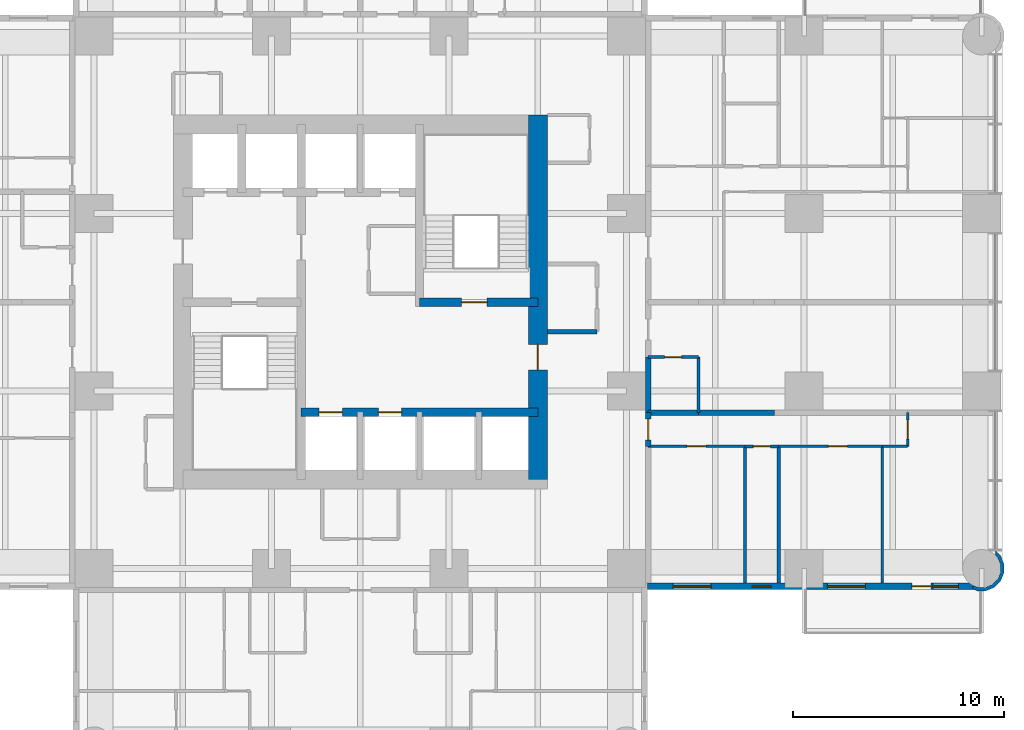
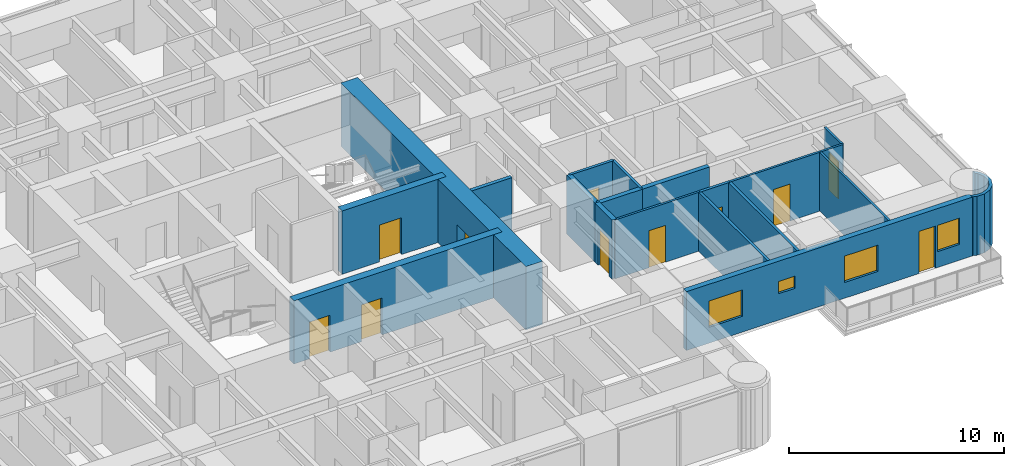
# One storey, part 9 of 14: 20 walls, 11 doors, 4 windows, 15 openings.
"""IFC4 building model written with IfcOpenShell, lengths in metres."""

from ifc_helpers import new_model, si_unit, direction, frame, frame_2d, origin, place, context, subcontext, project, spatial, polyline, rectangle, outline, extrude, material, layer, layer_set, type_object, element, fill, save


model = new_model("IFC4")

# Units and contexts
model_context = context("Model", 3, precision=1e-05, world=origin(), true_north=direction((0.0, 1.0)))
body_context = subcontext(model_context, "Body", "Model", "MODEL_VIEW")
ifc_project = project(units=[si_unit("LENGTHUNIT", "METRE"), si_unit("AREAUNIT", "SQUARE_METRE"), si_unit("VOLUMEUNIT", "CUBIC_METRE"), si_unit("PLANEANGLEUNIT", "RADIAN"), si_unit("MASSUNIT", "GRAM", prefix="KILO")], contexts=[model_context])

# Site, building, storey
site_placement = place(None, origin())
site = spatial("IfcSite", under=ifc_project, at=site_placement, CompositionType="ELEMENT")
building_placement = place(site_placement, origin())
building = spatial("IfcBuilding", under=site, at=building_placement, Name="Torre Alcanfor", CompositionType="ELEMENT")
storey_placement = place(building_placement, frame((0.0, 0.0, 173.699951171875)))
storey = spatial("IfcBuildingStorey", under=building, at=storey_placement, Name="L45", CompositionType="ELEMENT", Elevation=173.699951171875)

# Wall
ifc_material_1 = material(Name="Concrete block masonry, hollow blocks NMX-C-404 9 MPa", Category="masonry")
ifc_layer_1 = layer(ifc_material_1, 0.25)
ifc_layer_set_1 = layer_set([ifc_layer_1], Name="Apartment entrance wall 250 EI 60")
wall_type_1 = type_object("IfcWallType", Name="Apartment entrance wall 250 EI 60", PredefinedType="PARTITIONING", material=ifc_layer_set_1)
wall_1_placement = place(storey_placement, frame((43.02490234375, 26.800048828125, 0.0), z_axis=(0.0, 0.0, 1.0), x_axis=(0.0, -1.0, 0.0)))
element("IfcWall", 1, at=wall_1_placement, inside=storey, type_object=wall_type_1, Name="Partition L45-CORR / L45-E2A-BATH", PredefinedType="PARTITIONING", context=body_context, shape_type="SweptSolid", body=[
    extrude(rectangle(XDim=2.629150390625, YDim=0.25, at=frame_2d((1.314453125, 0.0))), origin(), (0.0, 0.0, 1.0), 3.35009765625),
])

# Wall, opening, door
wall_2_placement = place(storey_placement, frame((43.02490234375, 24.1708984375, 0.0), z_axis=(0.0, 0.0, 1.0), x_axis=(0.0, -1.0, 0.0)))
wall_2 = element("IfcWall", 2, at=wall_2_placement, inside=storey, type_object=wall_type_1, Name="Partition L45-CORR / L45-E2B-HALL", PredefinedType="PARTITIONING", context=body_context, shape_type="SweptSolid", body=[
    extrude(rectangle(XDim=1.599853515625, YDim=0.25, at=frame_2d((0.7998046875, 0.0))), origin(), (0.0, 0.0, 1.0), 3.35009765625),
])
opening_1_placement = place(wall_2_placement, frame((0.300048828125, 0.0, 0.0)))
opening_1 = element("IfcOpeningElement", 3, at=opening_1_placement, cuts=wall_2, Name="Opening D-A1", PredefinedType="OPENING", context=body_context, shape_type="SweptSolid", body=[
    extrude(rectangle(XDim=1.0, YDim=2.10009765625, at=frame_2d((0.5, 1.050048828125))), frame((0.0, 0.135009765625, 0.0), z_axis=(0.0, -1.0, 0.0), x_axis=(1.0, 0.0, 0.0)), (0.0, 0.0, 1.0), 0.27001953125),
])
ifc_material_2 = material(Name="Galvanised steel sheet ASTM A653", Category="steel")
door_type_1 = type_object("IfcDoorType", Name="Apartment entrance door FD60 1000x2100", OperationType="SINGLE_SWING_LEFT", PredefinedType="DOOR", material=ifc_material_2)
door_1_placement = place(opening_1_placement, origin())
door_1 = element("IfcDoor", 4, at=door_1_placement, inside=storey, type_object=door_type_1, Name="Apartment entrance L45-E2B", OperationType="SINGLE_SWING_LEFT", OverallHeight=2.10009765625, OverallWidth=1.0, PredefinedType="DOOR", context=body_context, shape_type="SweptSolid", body=[
    extrude(rectangle(XDim=1.0, YDim=2.10009765625, at=frame_2d((0.5, 1.050048828125))), frame((0.0, 0.02490234375, 0.0), z_axis=(0.0, -1.0, 0.0), x_axis=(1.0, 0.0, 0.0)), (0.0, 0.0, 1.0), 0.050048828125),
])
fill(opening_1, door_1)

ifc_material_3 = material(Name="Gypsum board on steel studs", Category="steel")
ifc_layer_2 = layer(ifc_material_3, 0.1201171875)
ifc_layer_set_2 = layer_set([ifc_layer_2], Name="Apartment partition 120")
wall_type_2 = type_object("IfcWallType", Name="Apartment partition 120", PredefinedType="PARTITIONING", material=ifc_layer_set_2)
wall_3_placement = place(storey_placement, frame((47.60009765625, 22.571044921875, 0.0), z_axis=(0.0, 0.0, 1.0), x_axis=(-1.0, 0.0, 0.0)))
wall_3 = element("IfcWall", 5, at=wall_3_placement, inside=storey, type_object=wall_type_2, Name="Partition L45-E2B-HALL / L45-E2B-BED2", PredefinedType="PARTITIONING", context=body_context, shape_type="SweptSolid", body=[
    extrude(rectangle(XDim=4.5751953125, YDim=0.1201171875, at=frame_2d((2.28759765625, 0.0))), origin(), (0.0, 0.0, 1.0), 3.35009765625),
])
opening_2_placement = place(wall_3_placement, frame((1.85009765625, 0.0, 0.0)))
opening_2 = element("IfcOpeningElement", 6, at=opening_2_placement, cuts=wall_3, Name="Opening D-R1", PredefinedType="OPENING", context=body_context, shape_type="SweptSolid", body=[
    extrude(rectangle(XDim=0.89990234375, YDim=2.10009765625, at=frame_2d((0.449951171875, 1.050048828125))), frame((0.0, 0.070068359375, 0.0), z_axis=(0.0, -1.0, 0.0), x_axis=(1.0, 0.0, 0.0)), (0.0, 0.0, 1.0), 0.14013671875),
])
ifc_material_4 = material(Name="Timber", Category="wood")
door_type_2 = type_object("IfcDoorType", Name="Internal door 900x2100", OperationType="SINGLE_SWING_LEFT", PredefinedType="DOOR", material=ifc_material_4)
door_2_placement = place(opening_2_placement, origin())
door_2 = element("IfcDoor", 7, at=door_2_placement, inside=storey, type_object=door_type_2, Name="Door L45-E2B bed2", OperationType="SINGLE_SWING_RIGHT", OverallHeight=2.10009765625, OverallWidth=0.89990234375, PredefinedType="DOOR", context=body_context, shape_type="SweptSolid", body=[
    extrude(rectangle(XDim=0.89990234375, YDim=2.10009765625, at=frame_2d((0.449951171875, 1.050048828125))), frame((0.0, 0.02490234375, 0.0), z_axis=(0.0, -1.0, 0.0), x_axis=(1.0, 0.0, 0.0)), (0.0, 0.0, 1.0), 0.050048828125),
])
fill(opening_2, door_2)

wall_4_placement = place(storey_placement, frame((54.10009765625, 22.571044921875, 0.0), z_axis=(0.0, 0.0, 1.0), x_axis=(-1.0, 0.0, 0.0)))
wall_4 = element("IfcWall", 8, at=wall_4_placement, inside=storey, type_object=wall_type_2, Name="Partition L45-E2B-HALL / L45-E2B-MASTER", PredefinedType="PARTITIONING", context=body_context, shape_type="SweptSolid", body=[
    extrude(rectangle(XDim=4.900146484375, YDim=0.1201171875, at=frame_2d((2.4501953125, 0.0))), origin(), (0.0, 0.0, 1.0), 3.35009765625),
])
opening_3_placement = place(wall_4_placement, frame((1.64990234375, 0.0, 0.0)))
opening_3 = element("IfcOpeningElement", 9, at=opening_3_placement, cuts=wall_4, Name="Opening D-R1", PredefinedType="OPENING", context=body_context, shape_type="SweptSolid", body=[
    extrude(rectangle(XDim=0.89990234375, YDim=2.10009765625, at=frame_2d((0.449951171875, 1.050048828125))), frame((0.0, 0.070068359375, 0.0), z_axis=(0.0, -1.0, 0.0), x_axis=(1.0, 0.0, 0.0)), (0.0, 0.0, 1.0), 0.14013671875),
])
door_3_placement = place(opening_3_placement, origin())
door_3 = element("IfcDoor", 10, at=door_3_placement, inside=storey, type_object=door_type_2, Name="Door L45-E2B master", OperationType="SINGLE_SWING_LEFT", OverallHeight=2.10009765625, OverallWidth=0.89990234375, PredefinedType="DOOR", context=body_context, shape_type="SweptSolid", body=[
    extrude(rectangle(XDim=0.89990234375, YDim=2.10009765625, at=frame_2d((0.449951171875, 1.050048828125))), frame((0.0, 0.02490234375, 0.0), z_axis=(0.0, -1.0, 0.0), x_axis=(1.0, 0.0, 0.0)), (0.0, 0.0, 1.0), 0.050048828125),
])
fill(opening_3, door_3)

# Wall
wall_5_placement = place(storey_placement, frame((55.300048828125, 22.571044921875, 0.0), z_axis=(0.0, 0.0, 1.0), x_axis=(-1.0, 0.0, 0.0)))
element("IfcWall", 11, at=wall_5_placement, inside=storey, type_object=wall_type_2, Name="Partition L45-E2B-HALL / L45-E2B-KITCHEN", PredefinedType="PARTITIONING", context=body_context, shape_type="SweptSolid", body=[
    extrude(rectangle(XDim=1.199951171875, YDim=0.1201171875, at=frame_2d((0.60009765625, 0.0))), origin(), (0.0, 0.0, 1.0), 3.35009765625),
])

# Wall, opening, door
wall_6_placement = place(storey_placement, frame((55.300048828125, 24.1708984375, 0.0), z_axis=(0.0, 0.0, 1.0), x_axis=(0.0, -1.0, 0.0)))
wall_6 = element("IfcWall", 12, at=wall_6_placement, inside=storey, type_object=wall_type_2, Name="Partition L45-E2B-HALL / L45-E2B-LIVING", PredefinedType="PARTITIONING", context=body_context, shape_type="SweptSolid", body=[
    extrude(rectangle(XDim=1.599853515625, YDim=0.1201171875, at=frame_2d((0.7998046875, 0.0))), origin(), (0.0, 0.0, 1.0), 3.35009765625),
])
opening_4_placement = place(wall_6_placement, frame((0.35009765625, 0.0, 0.0)))
opening_4 = element("IfcOpeningElement", 13, at=opening_4_placement, cuts=wall_6, Name="Opening D-R1", PredefinedType="OPENING", context=body_context, shape_type="SweptSolid", body=[
    extrude(rectangle(XDim=0.89990234375, YDim=2.10009765625, at=frame_2d((0.449951171875, 1.050048828125))), frame((0.0, 0.070068359375, 0.0), z_axis=(0.0, -1.0, 0.0), x_axis=(1.0, 0.0, 0.0)), (0.0, 0.0, 1.0), 0.14013671875),
])
door_4_placement = place(opening_4_placement, origin())
door_4 = element("IfcDoor", 14, at=door_4_placement, inside=storey, type_object=door_type_2, Name="Door L45-E2B living", OperationType="SINGLE_SWING_LEFT", OverallHeight=2.10009765625, OverallWidth=0.89990234375, PredefinedType="DOOR", context=body_context, shape_type="SweptSolid", body=[
    extrude(rectangle(XDim=0.89990234375, YDim=2.10009765625, at=frame_2d((0.449951171875, 1.050048828125))), frame((0.0, 0.02490234375, 0.0), z_axis=(0.0, -1.0, 0.0), x_axis=(1.0, 0.0, 0.0)), (0.0, 0.0, 1.0), 0.050048828125),
])
fill(opening_4, door_4)

# Wall
wall_7_placement = place(storey_placement, frame((54.10009765625, 22.571044921875, 0.0), z_axis=(0.0, 0.0, 1.0), x_axis=(0.0, -1.0, 0.0)))
element("IfcWall", 15, at=wall_7_placement, inside=storey, type_object=wall_type_2, Name="Partition L45-E2B-MASTER / L45-E2B-KITCHEN", PredefinedType="PARTITIONING", context=body_context, shape_type="SweptSolid", body=[
    extrude(rectangle(XDim=6.470947265625, YDim=0.1201171875, at=frame_2d((3.2353515625, 0.0))), origin(), (0.0, 0.0, 1.0), 3.35009765625),
])

# Wall, openings, doors
ifc_material_5 = material(Name="Concrete f'c 70 MPa", Category="concrete")
ifc_layer_3 = layer(ifc_material_5, 0.39990234375)
ifc_layer_set_3 = layer_set([ifc_layer_3], Name="Core inner wall 400 f'c70")
wall_type_3 = type_object("IfcWallType", Name="Core inner wall 400 f'c70", PredefinedType="SHEAR", material=ifc_layer_set_3)
wall_8_placement = place(storey_placement, frame((26.60009765625, 24.199951171875, 0.0), z_axis=(0.0, 0.0, 1.0), x_axis=(1.0, 0.0, 0.0)))
wall_8 = element("IfcWall", 16, at=wall_8_placement, inside=storey, type_object=wall_type_3, Name="Core wall Y242 L45", PredefinedType="SHEAR", context=body_context, shape_type="SweptSolid", body=[
    extrude(rectangle(XDim=11.199951171875, YDim=0.39990234375, at=frame_2d((5.60009765625, 0.0))), origin(), (0.0, 0.0, 1.0), 3.60009765625),
])
opening_5_placement = place(wall_8_placement, frame((0.85009765625, 0.0, 0.0)))
opening_5 = element("IfcOpeningElement", 17, at=opening_5_placement, cuts=wall_8, Name="Opening LD1", PredefinedType="OPENING", context=body_context, shape_type="SweptSolid", body=[
    extrude(rectangle(XDim=1.10009765625, YDim=2.10009765625, at=frame_2d((0.550048828125, 1.050048828125))), frame((0.0, 0.2099609375, 0.0), z_axis=(0.0, -1.0, 0.0), x_axis=(1.0, 0.0, 0.0)), (0.0, 0.0, 1.0), 0.419921875),
])
opening_6_placement = place(wall_8_placement, frame((3.64990234375, 0.0, 0.0)))
opening_6 = element("IfcOpeningElement", 18, at=opening_6_placement, cuts=wall_8, Name="Opening LD1", PredefinedType="OPENING", context=body_context, shape_type="SweptSolid", body=[
    extrude(rectangle(XDim=1.10009765625, YDim=2.10009765625, at=frame_2d((0.550048828125, 1.050048828125))), frame((0.0, 0.2099609375, 0.0), z_axis=(0.0, -1.0, 0.0), x_axis=(1.0, 0.0, 0.0)), (0.0, 0.0, 1.0), 0.419921875),
])
ifc_material_6 = material(Name="Galvanised steel sheet ASTM A653", Category="steel")
door_type_3 = type_object("IfcDoorType", Name="Lift landing door 1100x2100", OperationType="DOUBLE_DOOR_SLIDING", PredefinedType="DOOR", material=ifc_material_6)
door_5_placement = place(opening_5_placement, origin())
door_5 = element("IfcDoor", 19, at=door_5_placement, inside=storey, type_object=door_type_3, Name="Lift landing door PA1 L45", OperationType="DOUBLE_DOOR_SLIDING", OverallHeight=2.10009765625, OverallWidth=1.10009765625, PredefinedType="DOOR", context=body_context, shape_type="SweptSolid", body=[
    extrude(rectangle(XDim=1.10009765625, YDim=2.10009765625, at=frame_2d((0.550048828125, 1.050048828125))), frame((0.0, 0.02490234375, 0.0), z_axis=(0.0, -1.0, 0.0), x_axis=(1.0, 0.0, 0.0)), (0.0, 0.0, 1.0), 0.050048828125),
])
fill(opening_5, door_5)
door_6_placement = place(opening_6_placement, origin())
door_6 = element("IfcDoor", 20, at=door_6_placement, inside=storey, type_object=door_type_3, Name="Lift landing door PA2 L45", OperationType="DOUBLE_DOOR_SLIDING", OverallHeight=2.10009765625, OverallWidth=1.10009765625, PredefinedType="DOOR", context=body_context, shape_type="SweptSolid", body=[
    extrude(rectangle(XDim=1.10009765625, YDim=2.10009765625, at=frame_2d((0.550048828125, 1.050048828125))), frame((0.0, 0.02490234375, 0.0), z_axis=(0.0, -1.0, 0.0), x_axis=(1.0, 0.0, 0.0)), (0.0, 0.0, 1.0), 0.050048828125),
])
fill(opening_6, door_6)

# Wall, opening, door
wall_9_placement = place(storey_placement, frame((32.199951171875, 29.39990234375, 0.0), z_axis=(0.0, 0.0, 1.0), x_axis=(1.0, 0.0, 0.0)))
wall_9 = element("IfcWall", 21, at=wall_9_placement, inside=storey, type_object=wall_type_3, Name="Core wall Y294E L45", PredefinedType="SHEAR", context=body_context, shape_type="SweptSolid", body=[
    extrude(rectangle(XDim=5.60009765625, YDim=0.39990234375, at=frame_2d((2.800048828125, 0.0))), origin(), (0.0, 0.0, 1.0), 3.60009765625),
])
opening_7_placement = place(wall_9_placement, frame((2.0, 0.0, 0.0)))
opening_7 = element("IfcOpeningElement", 22, at=opening_7_placement, cuts=wall_9, Name="Opening D-S2", PredefinedType="OPENING", context=body_context, shape_type="SweptSolid", body=[
    extrude(rectangle(XDim=1.199951171875, YDim=2.10009765625, at=frame_2d((0.60009765625, 1.050048828125))), frame((0.0, 0.2099609375, 0.0), z_axis=(0.0, -1.0, 0.0), x_axis=(1.0, 0.0, 0.0)), (0.0, 0.0, 1.0), 0.419921875),
])
ifc_material_7 = material(Name="Galvanised steel sheet ASTM A653", Category="steel")
door_type_4 = type_object("IfcDoorType", Name="Stair enclosure door FD120 1200x2100", OperationType="SINGLE_SWING_LEFT", PredefinedType="DOOR", material=ifc_material_7)
door_7_placement = place(opening_7_placement, origin())
door_7 = element("IfcDoor", 23, at=door_7_placement, inside=storey, type_object=door_type_4, Name="Stair S2 door L45", OperationType="SINGLE_SWING_LEFT", OverallHeight=2.10009765625, OverallWidth=1.199951171875, PredefinedType="DOOR", context=body_context, shape_type="SweptSolid", body=[
    extrude(rectangle(XDim=1.199951171875, YDim=2.10009765625, at=frame_2d((0.60009765625, 1.050048828125))), frame((0.0, 0.02490234375, 0.0), z_axis=(0.0, -1.0, 0.0), x_axis=(1.0, 0.0, 0.0)), (0.0, 0.0, 1.0), 0.050048828125),
])
fill(opening_7, door_7)

ifc_material_8 = material(Name="Concrete f'c 70 MPa", Category="concrete")
ifc_layer_4 = layer(ifc_material_8, 0.89990234375)
ifc_layer_set_4 = layer_set([ifc_layer_4], Name="Core wall 900 f'c70")
wall_type_4 = type_object("IfcWallType", Name="Core wall 900 f'c70", PredefinedType="SHEAR", material=ifc_layer_set_4)
wall_10_placement = place(storey_placement, frame((37.800048828125, 21.0, 0.0), z_axis=(0.0, 0.0, 1.0), x_axis=(0.0, 1.0, 0.0)))
wall_10 = element("IfcWall", 24, at=wall_10_placement, inside=storey, type_object=wall_type_4, Name="Core wall OUT-E L45", PredefinedType="SHEAR", context=body_context, shape_type="SweptSolid", body=[
    extrude(rectangle(XDim=17.25, YDim=0.89990234375, at=frame_2d((8.625, 0.0))), origin(), (0.0, 0.0, 1.0), 3.60009765625),
])
opening_8_placement = place(wall_10_placement, frame((5.199951171875, 0.0, 0.0)))
opening_8 = element("IfcOpeningElement", 25, at=opening_8_placement, cuts=wall_10, Name="Opening D-L1", PredefinedType="OPENING", context=body_context, shape_type="SweptSolid", body=[
    extrude(rectangle(XDim=1.199951171875, YDim=2.10009765625, at=frame_2d((0.60009765625, 1.050048828125))), frame((0.0, 0.4599609375, 0.0), z_axis=(0.0, -1.0, 0.0), x_axis=(1.0, 0.0, 0.0)), (0.0, 0.0, 1.0), 0.919921875),
])
ifc_material_9 = material(Name="Galvanised steel sheet ASTM A653", Category="steel")
door_type_5 = type_object("IfcDoorType", Name="Lobby door FD120 1200x2100", OperationType="SINGLE_SWING_LEFT", PredefinedType="DOOR", material=ifc_material_9)
door_8_placement = place(opening_8_placement, origin())
door_8 = element("IfcDoor", 26, at=door_8_placement, inside=storey, type_object=door_type_5, Name="Lift lobby entrance door L45", OperationType="SINGLE_SWING_LEFT", OverallHeight=2.10009765625, OverallWidth=1.199951171875, PredefinedType="DOOR", context=body_context, shape_type="SweptSolid", body=[
    extrude(rectangle(XDim=1.199951171875, YDim=2.10009765625, at=frame_2d((0.60009765625, 1.050048828125))), frame((0.0, 0.02490234375, 0.0), z_axis=(0.0, -1.0, 0.0), x_axis=(1.0, 0.0, 0.0)), (0.0, 0.0, 1.0), 0.050048828125),
])
fill(opening_8, door_8)

# Wall, openings, door, windows
ifc_material_10 = material(Name="Limestone cladding", Category="masonry")
ifc_layer_5 = layer(ifc_material_10, 0.0400390625, Name="Facing")
ifc_material_11 = material(Name="Ventilated air cavity")
ifc_layer_6 = layer(ifc_material_11, 0.02001953125, ventilated=True, Name="Ventilated joint")
ifc_material_12 = material(Name="Mineral wool insulation", Category="insulation")
ifc_layer_7 = layer(ifc_material_12, 0.10009765625, Name="Insulation")
ifc_material_13 = material(Name="Concrete f'c 35 MPa", Category="concrete")
ifc_layer_8 = layer(ifc_material_13, 0.139892578125, Name="Backing")
ifc_layer_set_5 = layer_set([ifc_layer_5, ifc_layer_6, ifc_layer_7, ifc_layer_8], Name="External wall stone-clad 300")
wall_type_5 = type_object("IfcWallType", Name="External wall stone-clad 300", PredefinedType="SOLIDWALL", material=ifc_layer_set_5)
wall_11_placement = place(storey_placement, frame((43.0, 15.949951171875, 0.0), z_axis=(0.0, 0.0, 1.0), x_axis=(1.0, 0.0, 0.0)))
wall_11 = element("IfcWall", 27, at=wall_11_placement, inside=storey, type_object=wall_type_5, Name="External wall L45 7", PredefinedType="SOLIDWALL", context=body_context, shape_type="SweptSolid", body=[
    extrude(rectangle(XDim=15.39990234375, YDim=0.300048828125, at=frame_2d((7.699951171875, 0.0))), origin(), (0.0, 0.0, 1.0), 3.35009765625),
])
opening_9_placement = place(wall_11_placement, frame((1.199951171875, 0.0, 0.89990234375)))
opening_9 = element("IfcOpeningElement", 28, at=opening_9_placement, cuts=wall_11, Name="Opening W2", PredefinedType="OPENING", context=body_context, shape_type="SweptSolid", body=[
    extrude(rectangle(XDim=1.800048828125, YDim=1.5, at=frame_2d((0.89990234375, 0.75))), frame((0.0, 0.159912109375, 0.0), z_axis=(0.0, -1.0, 0.0), x_axis=(1.0, 0.0, 0.0)), (0.0, 0.0, 1.0), 0.320068359375),
])
opening_10_placement = place(wall_11_placement, frame((4.949951171875, 0.0, 1.5)))
opening_10 = element("IfcOpeningElement", 29, at=opening_10_placement, cuts=wall_11, Name="Opening W3", PredefinedType="OPENING", context=body_context, shape_type="SweptSolid", body=[
    extrude(rectangle(XDim=0.89990234375, YDim=0.699951171875, at=frame_2d((0.449951171875, 0.35009765625))), frame((0.0, 0.159912109375, 0.0), z_axis=(0.0, -1.0, 0.0), x_axis=(1.0, 0.0, 0.0)), (0.0, 0.0, 1.0), 0.320068359375),
])
opening_11_placement = place(wall_11_placement, frame((8.5, 0.0, 0.89990234375)))
opening_11 = element("IfcOpeningElement", 30, at=opening_11_placement, cuts=wall_11, Name="Opening W2", PredefinedType="OPENING", context=body_context, shape_type="SweptSolid", body=[
    extrude(rectangle(XDim=1.800048828125, YDim=1.5, at=frame_2d((0.89990234375, 0.75))), frame((0.0, 0.159912109375, 0.0), z_axis=(0.0, -1.0, 0.0), x_axis=(1.0, 0.0, 0.0)), (0.0, 0.0, 1.0), 0.320068359375),
])
opening_12_placement = place(wall_11_placement, frame((12.5, 0.0, 0.0)))
opening_12 = element("IfcOpeningElement", 31, at=opening_12_placement, cuts=wall_11, Name="Opening D-B1", PredefinedType="OPENING", context=body_context, shape_type="SweptSolid", body=[
    extrude(rectangle(XDim=0.89990234375, YDim=2.39990234375, at=frame_2d((0.449951171875, 1.199951171875))), frame((0.0, 0.159912109375, 0.0), z_axis=(0.0, -1.0, 0.0), x_axis=(1.0, 0.0, 0.0)), (0.0, 0.0, 1.0), 0.320068359375),
])
opening_13_placement = place(wall_11_placement, frame((13.5, 0.0, 0.89990234375)))
opening_13 = element("IfcOpeningElement", 32, at=opening_13_placement, cuts=wall_11, Name="Opening W4", PredefinedType="OPENING", context=body_context, shape_type="SweptSolid", body=[
    extrude(rectangle(XDim=1.199951171875, YDim=1.5, at=frame_2d((0.60009765625, 0.75))), frame((0.0, 0.159912109375, 0.0), z_axis=(0.0, -1.0, 0.0), x_axis=(1.0, 0.0, 0.0)), (0.0, 0.0, 1.0), 0.320068359375),
])
ifc_material_14 = material(Name="Aluminium and glass", Category="aluminium")
door_type_6 = type_object("IfcDoorType", Name="Balcony door glazed 900x2400", OperationType="SINGLE_SWING_LEFT", PredefinedType="DOOR", material=ifc_material_14)
door_9_placement = place(opening_12_placement, origin())
door_9 = element("IfcDoor", 33, at=door_9_placement, inside=storey, type_object=door_type_6, Name="Balcony door L45-E2", OperationType="SINGLE_SWING_LEFT", OverallHeight=2.39990234375, OverallWidth=0.89990234375, PredefinedType="DOOR", context=body_context, shape_type="SweptSolid", body=[
    extrude(rectangle(XDim=0.89990234375, YDim=2.39990234375, at=frame_2d((0.449951171875, 1.199951171875))), frame((0.0, 0.02490234375, 0.0), z_axis=(0.0, -1.0, 0.0), x_axis=(1.0, 0.0, 0.0)), (0.0, 0.0, 1.0), 0.050048828125),
])
fill(opening_12, door_9)
ifc_material_15 = material(Name="Aluminium frame with clear double glazing", Category="aluminium")
window_type_1 = type_object("IfcWindowType", Name="Window bathroom 900x700", PartitioningType="SINGLE_PANEL", PredefinedType="WINDOW", material=ifc_material_15)
window_1_placement = place(opening_10_placement, origin())
window_1 = element("IfcWindow", 34, at=window_1_placement, inside=storey, type_object=window_type_1, Name="Window W3 L45-E2", OverallHeight=0.699951171875, OverallWidth=0.89990234375, PartitioningType="SINGLE_PANEL", PredefinedType="WINDOW", context=body_context, shape_type="SweptSolid", body=[
    extrude(rectangle(XDim=0.89990234375, YDim=0.699951171875, at=frame_2d((0.449951171875, 0.35009765625))), frame((0.0, 0.030029296875, 0.0), z_axis=(0.0, -1.0, 0.0), x_axis=(1.0, 0.0, 0.0)), (0.0, 0.0, 1.0), 0.06005859375),
])
fill(opening_10, window_1)
ifc_material_16 = material(Name="Aluminium frame with clear double glazing", Category="aluminium")
window_type_2 = type_object("IfcWindowType", Name="Window bedroom 1200x1500", PartitioningType="SINGLE_PANEL", PredefinedType="WINDOW", material=ifc_material_16)
window_2_placement = place(opening_13_placement, origin())
window_2 = element("IfcWindow", 35, at=window_2_placement, inside=storey, type_object=window_type_2, Name="Window W4 L45-E2", OverallHeight=1.5, OverallWidth=1.199951171875, PartitioningType="SINGLE_PANEL", PredefinedType="WINDOW", context=body_context, shape_type="SweptSolid", body=[
    extrude(rectangle(XDim=1.199951171875, YDim=1.5, at=frame_2d((0.60009765625, 0.75))), frame((0.0, 0.030029296875, 0.0), z_axis=(0.0, -1.0, 0.0), x_axis=(1.0, 0.0, 0.0)), (0.0, 0.0, 1.0), 0.06005859375),
])
fill(opening_13, window_2)
ifc_material_17 = material(Name="Aluminium frame with clear double glazing", Category="aluminium")
window_type_3 = type_object("IfcWindowType", Name="Window bedroom 1800x1500", PartitioningType="SINGLE_PANEL", PredefinedType="WINDOW", material=ifc_material_17)
window_3_placement = place(opening_9_placement, origin())
window_3 = element("IfcWindow", 36, at=window_3_placement, inside=storey, type_object=window_type_3, Name="Window W2 L45-E2", OverallHeight=1.5, OverallWidth=1.800048828125, PartitioningType="SINGLE_PANEL", PredefinedType="WINDOW", context=body_context, shape_type="SweptSolid", body=[
    extrude(rectangle(XDim=1.800048828125, YDim=1.5, at=frame_2d((0.89990234375, 0.75))), frame((0.0, 0.030029296875, 0.0), z_axis=(0.0, -1.0, 0.0), x_axis=(1.0, 0.0, 0.0)), (0.0, 0.0, 1.0), 0.06005859375),
])
fill(opening_9, window_3)
window_4_placement = place(opening_11_placement, origin())
window_4 = element("IfcWindow", 37, at=window_4_placement, inside=storey, type_object=window_type_3, Name="Window W2 L45-E2", OverallHeight=1.5, OverallWidth=1.800048828125, PartitioningType="SINGLE_PANEL", PredefinedType="WINDOW", context=body_context, shape_type="SweptSolid", body=[
    extrude(rectangle(XDim=1.800048828125, YDim=1.5, at=frame_2d((0.89990234375, 0.75))), frame((0.0, 0.030029296875, 0.0), z_axis=(0.0, -1.0, 0.0), x_axis=(1.0, 0.0, 0.0)), (0.0, 0.0, 1.0), 0.06005859375),
])
fill(opening_11, window_4)

# Walls
ifc_material_18 = material(Name="Concrete block masonry, hollow blocks NMX-C-404 9 MPa", Category="masonry")
ifc_layer_9 = layer(ifc_material_18, 0.25)
ifc_layer_set_6 = layer_set([ifc_layer_9], Name="Party wall 250 EI 60")
wall_type_6 = type_object("IfcWallType", Name="Party wall 250 EI 60", PredefinedType="PARTITIONING", material=ifc_layer_set_6)
wall_12_placement = place(storey_placement, frame((45.39990234375, 24.1708984375, 0.0), z_axis=(0.0, 0.0, 1.0), x_axis=(-1.0, 0.0, 0.0)))
element("IfcWall", 38, at=wall_12_placement, inside=storey, type_object=wall_type_6, Name="Partition L45-E2A-BATH / L45-E2B-HALL", PredefinedType="PARTITIONING", context=body_context, shape_type="SweptSolid", body=[
    extrude(rectangle(XDim=2.375, YDim=0.25, at=frame_2d((1.1875, 0.0))), origin(), (0.0, 0.0, 1.0), 3.35009765625),
])
wall_13_placement = place(storey_placement, frame((49.0, 24.1708984375, 0.0), z_axis=(0.0, 0.0, 1.0), x_axis=(-1.0, 0.0, 0.0)))
element("IfcWall", 39, at=wall_13_placement, inside=storey, type_object=wall_type_6, Name="Partition L45-E2A-KITCHEN / L45-E2B-HALL", PredefinedType="PARTITIONING", context=body_context, shape_type="SweptSolid", body=[
    extrude(rectangle(XDim=3.60009765625, YDim=0.25, at=frame_2d((1.800048828125, 0.0))), origin(), (0.0, 0.0, 1.0), 3.35009765625),
])
ifc_material_19 = material(Name="Concrete block masonry, hollow blocks NMX-C-404 9 MPa", Category="masonry")
ifc_layer_10 = layer(ifc_material_19, 0.199951171875)
ifc_layer_set_7 = layer_set([ifc_layer_10], Name="Plant room wall 200 EI 60")
wall_type_7 = type_object("IfcWallType", Name="Plant room wall 200 EI 60", PredefinedType="PARTITIONING", material=ifc_layer_set_7)
wall_14_placement = place(storey_placement, frame((38.25, 28.0, 0.0), z_axis=(0.0, 0.0, 1.0), x_axis=(1.0, 0.0, 0.0)))
element("IfcWall", 40, at=wall_14_placement, inside=storey, type_object=wall_type_7, Name="Partition L45-CORR / L45-G02", PredefinedType="PARTITIONING", context=body_context, shape_type="SweptSolid", body=[
    extrude(rectangle(XDim=2.35009765625, YDim=0.199951171875, at=frame_2d((1.175048828125, 0.0))), origin(), (0.0, 0.0, 1.0), 3.35009765625),
])
ifc_layer_11 = layer(ifc_material_10, 0.0400390625, Name="Facing")
ifc_layer_12 = layer(ifc_material_11, 0.02001953125, ventilated=True, Name="Ventilated joint")
ifc_layer_13 = layer(ifc_material_12, 0.10009765625, Name="Insulation")
ifc_layer_14 = layer(ifc_material_13, 0.139892578125, Name="Backing")
ifc_layer_set_8 = layer_set([ifc_layer_11, ifc_layer_12, ifc_layer_13, ifc_layer_14], Name="Rounded corner pier stone-clad 300")
wall_type_8 = type_object("IfcWallType", Name="Rounded corner pier stone-clad 300", PredefinedType="SOLIDWALL", material=ifc_layer_set_8)
wall_15_placement = place(storey_placement, frame((58.436037137, 15.890092843, 0.0), z_axis=(0.0, 0.0, 1.0), x_axis=(0.926129809145, -0.377204953059, 0.0)))
element("IfcWall", 41, at=wall_15_placement, inside=storey, type_object=wall_type_8, Name="Corner pier L45 17", PredefinedType="SOLIDWALL", context=body_context, shape_type="SweptSolid", body=[
    extrude(outline(polyline([(0.769166837716128, 1.7276108100514604), (0.7500653632983351, 1.7227306908268178), (0.5995000244675756, 1.8749338844742405), (0.2945752424497483, 2.003546223814982), (0.2810088878235957, 1.9980207606354041), (0.36029928445054193, 1.803343571750114), (0.5086711604613772, 1.740666542271283), (0.7606181499848057, 1.4858220995022824), (0.8958078157784841, 1.153898622982415), (0.8937038530249802, 0.7953177307388815), (0.7545964309992416, 0.4650292826997394), (0.49975198823024103, 0.21308229317631072), (0.16782851171037358, 0.07789262738263233), (-0.0998950178182167, 0.07956887308382314), (0.0004995392280573718, -0.09702266930253471), (0.03004451591433495, -0.08024419760165923), (0.19838601885213236, -0.08127415720020953), (0.5888709261748919, 0.07776709131864781), (0.888863773202199, 0.37420041869354087), (1.0524038230869968, 0.7629450169505976), (1.0552007062717619, 1.1845482211771667), (0.8961594577529046, 1.5750331284999262), (0.777713405588319, 1.694976661367872), (0.769166837716128, 1.7276108100514604)])), origin(), (0.0, 0.0, 1.0), 3.35009765625),
])

# Wall, opening, door
ifc_material_20 = material(Name="Cement board on steel studs", Category="steel")
ifc_layer_15 = layer(ifc_material_20, 0.14990234375)
ifc_layer_set_9 = layer_set([ifc_layer_15], Name="Wet area partition 150")
wall_type_9 = type_object("IfcWallType", Name="Wet area partition 150", PredefinedType="PARTITIONING", material=ifc_layer_set_9)
wall_16_placement = place(storey_placement, frame((45.39990234375, 26.800048828125, 0.0), z_axis=(0.0, 0.0, 1.0), x_axis=(-1.0, 0.0, 0.0)))
wall_16 = element("IfcWall", 42, at=wall_16_placement, inside=storey, type_object=wall_type_9, Name="Partition L45-E2A-FOYER / L45-E2A-BATH", PredefinedType="PARTITIONING", context=body_context, shape_type="SweptSolid", body=[
    extrude(rectangle(XDim=2.375, YDim=0.14990234375, at=frame_2d((1.1875, 0.0))), origin(), (0.0, 0.0, 1.0), 3.35009765625),
])
opening_14_placement = place(wall_16_placement, frame((0.800048828125, 0.0, 0.0)))
opening_14 = element("IfcOpeningElement", 43, at=opening_14_placement, cuts=wall_16, Name="Opening D-R2", PredefinedType="OPENING", context=body_context, shape_type="SweptSolid", body=[
    extrude(rectangle(XDim=0.800048828125, YDim=2.10009765625, at=frame_2d((0.39990234375, 1.050048828125))), frame((0.0, 0.0849609375, 0.0), z_axis=(0.0, -1.0, 0.0), x_axis=(1.0, 0.0, 0.0)), (0.0, 0.0, 1.0), 0.169921875),
])
ifc_material_21 = material(Name="Timber", Category="wood")
door_type_7 = type_object("IfcDoorType", Name="Bathroom door 800x2100", OperationType="SINGLE_SWING_LEFT", PredefinedType="DOOR", material=ifc_material_21)
door_10_placement = place(opening_14_placement, origin())
door_10 = element("IfcDoor", 44, at=door_10_placement, inside=storey, type_object=door_type_7, Name="Door L45-E2A bath", OperationType="SINGLE_SWING_RIGHT", OverallHeight=2.10009765625, OverallWidth=0.800048828125, PredefinedType="DOOR", context=body_context, shape_type="SweptSolid", body=[
    extrude(rectangle(XDim=0.800048828125, YDim=2.10009765625, at=frame_2d((0.39990234375, 1.050048828125))), frame((0.0, 0.02490234375, 0.0), z_axis=(0.0, -1.0, 0.0), x_axis=(1.0, 0.0, 0.0)), (0.0, 0.0, 1.0), 0.050048828125),
])
fill(opening_14, door_10)

# Wall
wall_17_placement = place(storey_placement, frame((45.39990234375, 26.800048828125, 0.0), z_axis=(0.0, 0.0, 1.0), x_axis=(0.0, -1.0, 0.0)))
element("IfcWall", 45, at=wall_17_placement, inside=storey, type_object=wall_type_9, Name="Partition L45-E2A-BATH / L45-E2A-KITCHEN", PredefinedType="PARTITIONING", context=body_context, shape_type="SweptSolid", body=[
    extrude(rectangle(XDim=2.629150390625, YDim=0.14990234375, at=frame_2d((1.314453125, 0.0))), origin(), (0.0, 0.0, 1.0), 3.35009765625),
])

# Wall, opening, door
wall_18_placement = place(storey_placement, frame((49.199951171875, 22.571044921875, 0.0), z_axis=(0.0, 0.0, 1.0), x_axis=(-1.0, 0.0, 0.0)))
wall_18 = element("IfcWall", 46, at=wall_18_placement, inside=storey, type_object=wall_type_9, Name="Partition L45-E2B-HALL / L45-E2B-BATH", PredefinedType="PARTITIONING", context=body_context, shape_type="SweptSolid", body=[
    extrude(rectangle(XDim=1.599853515625, YDim=0.14990234375, at=frame_2d((0.7998046875, 0.0))), origin(), (0.0, 0.0, 1.0), 3.35009765625),
])
opening_15_placement = place(wall_18_placement, frame((0.39990234375, 0.0, 0.0)))
opening_15 = element("IfcOpeningElement", 47, at=opening_15_placement, cuts=wall_18, Name="Opening D-R2", PredefinedType="OPENING", context=body_context, shape_type="SweptSolid", body=[
    extrude(rectangle(XDim=0.800048828125, YDim=2.10009765625, at=frame_2d((0.39990234375, 1.050048828125))), frame((0.0, 0.0849609375, 0.0), z_axis=(0.0, -1.0, 0.0), x_axis=(1.0, 0.0, 0.0)), (0.0, 0.0, 1.0), 0.169921875),
])
door_11_placement = place(opening_15_placement, origin())
door_11 = element("IfcDoor", 48, at=door_11_placement, inside=storey, type_object=door_type_7, Name="Door L45-E2B bath", OperationType="SINGLE_SWING_LEFT", OverallHeight=2.10009765625, OverallWidth=0.800048828125, PredefinedType="DOOR", context=body_context, shape_type="SweptSolid", body=[
    extrude(rectangle(XDim=0.800048828125, YDim=2.10009765625, at=frame_2d((0.39990234375, 1.050048828125))), frame((0.0, 0.02490234375, 0.0), z_axis=(0.0, -1.0, 0.0), x_axis=(1.0, 0.0, 0.0)), (0.0, 0.0, 1.0), 0.050048828125),
])
fill(opening_15, door_11)

# Walls
for number, where, z_axis, x_axis, name in (
    (49, (47.60009765625, 22.571044921875, 0.0), (0.0, 0.0, 1.0), (0.0, -1.0, 0.0), "Partition L45-E2B-BED2 / L45-E2B-BATH"),
    (50, (49.199951171875, 22.571044921875, 0.0), (0.0, 0.0, 1.0), (0.0, -1.0, 0.0), "Partition L45-E2B-BATH / L45-E2B-MASTER"),
):
    element("IfcWall", number, at=place(storey_placement, frame(where, z_axis=z_axis, x_axis=x_axis)), inside=storey, type_object=wall_type_9, Name=name, PredefinedType="PARTITIONING", context=body_context, shape_type="SweptSolid", body=[
        extrude(rectangle(XDim=6.470947265625, YDim=0.14990234375, at=frame_2d((3.2353515625, 0.0))), origin(), (0.0, 0.0, 1.0), 3.35009765625),
    ])

save(model, "model.ifc")
